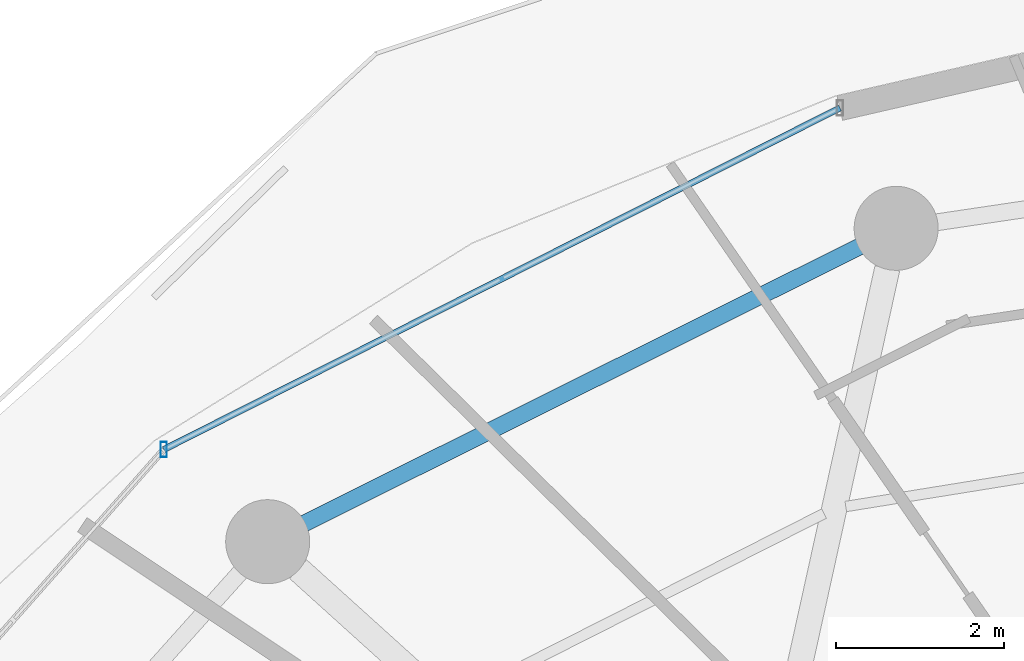
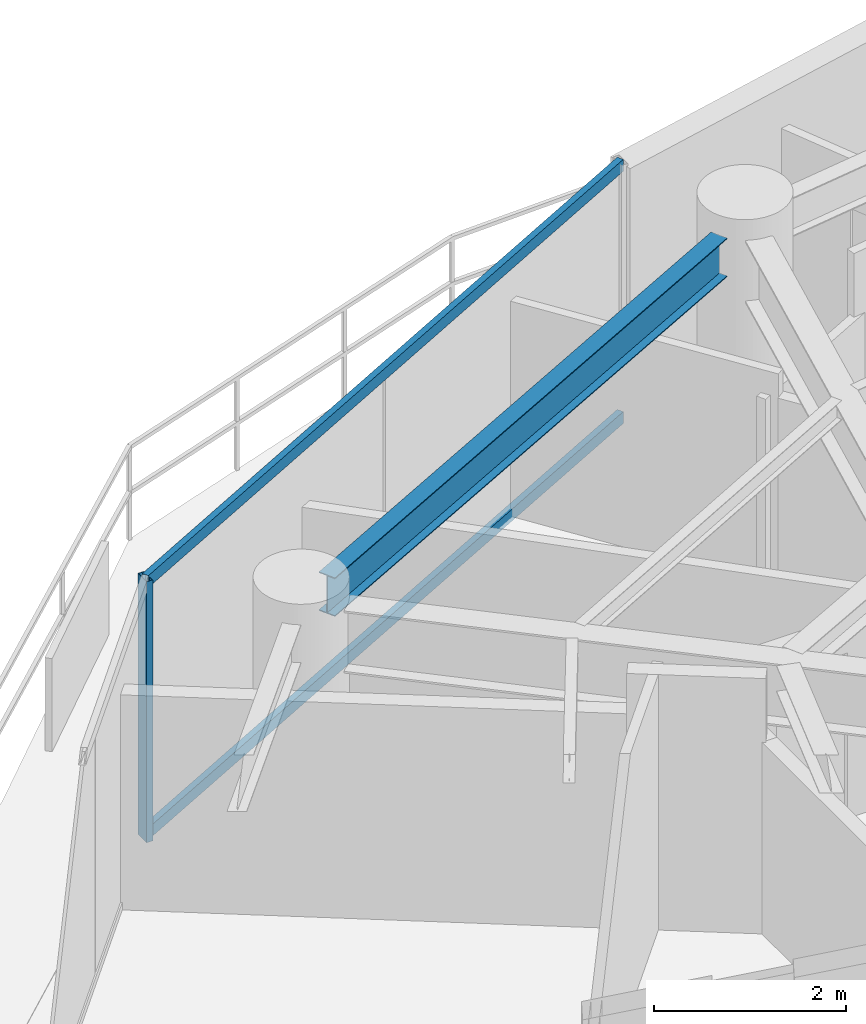
# One storey, part 15 of 29: 3 members, 1 beam, 1 element without a shape of its own.
"""IFC4 building model written with IfcOpenShell, lengths in metres."""

from ifc_helpers import new_model, si_unit, direction, frame, origin, origin_2d, place, context, subcontext, project, spatial, hollow_rectangle, i_section, extrude, material, material_profile, profile_set, type_object, element, aggregate, save


model = new_model("IFC4")

# Units and contexts
model_context = context("Model", 3, precision=1e-05, world=origin(), true_north=direction((0.0, 1.0)))
body_context = subcontext(model_context, "Body", "Model", "MODEL_VIEW")
ifc_project = project(units=[si_unit("LENGTHUNIT", "METRE"), si_unit("AREAUNIT", "SQUARE_METRE"), si_unit("VOLUMEUNIT", "CUBIC_METRE"), si_unit("PLANEANGLEUNIT", "RADIAN"), si_unit("MASSUNIT", "GRAM", prefix="KILO")], contexts=[model_context])

# Site, building, storey
site_placement = place(None, origin())
site = spatial("IfcSite", under=ifc_project, at=site_placement, CompositionType="ELEMENT")
building_placement = place(site_placement, origin())
building = spatial("IfcBuilding", under=site, at=building_placement, Name="Vorneva Point Tower", CompositionType="ELEMENT")
storey_placement = place(building_placement, frame((0.0, 0.0, 150.10009765625)))
storey = spatial("IfcBuildingStorey", under=building, at=storey_placement, Name="L40", CompositionType="ELEMENT", Elevation=150.10009765625)

# Beam
ifc_material_1 = material(Name="Steel S355", Category="steel")
ifc_material_profile_1 = material_profile(ifc_material_1, i_section(OverallWidth=0.199951171875, OverallDepth=0.491943359375, WebThickness=0.0087890625, FlangeThickness=0.011962890625, at=origin_2d()), Name="50B1")
ifc_profile_set_1 = profile_set([ifc_material_profile_1], Name="Steel S355")
beam_type = type_object("IfcBeamType", Name="BM-SPN-50B1", PredefinedType="SPANDREL", material=ifc_profile_set_1)
beam_placement = place(storey_placement, frame((28.7451171875, 41.67431640625, 2.993896484375), z_axis=(-0.894929061397, -0.446208443518, 0.0), x_axis=(0.446208443518, -0.894929061397, 0.0)))
element("IfcBeam", 1, at=beam_placement, inside=storey, type_object=beam_type, Name="L40 Perimeter Spandrel Ring Beam 06", PredefinedType="SPANDREL", context=body_context, shape_type="SweptSolid", body=[
    extrude(i_section(OverallWidth=0.199951171875, OverallDepth=0.491943359375, WebThickness=0.0087890625, FlangeThickness=0.011962890625, at=origin_2d()), origin(), (0.0, 0.0, 1.0), 7.385986328125),
])

# Curtain wall, members
ifc_material_2 = material(Name="Pale anodised aluminium", Category="aluminium")
curtain_wall_type = type_object("IfcCurtainWallType", Name="CW-RES-SYS", PredefinedType="NOTDEFINED", material=ifc_material_2)
curtain_wall_placement = place(storey_placement, origin())
curtain_wall = element("IfcCurtainWall", 2, at=curtain_wall_placement, inside=storey, type_object=curtain_wall_type, Name="L40 Unitised Curtain Wall CW-L40-R03", PredefinedType="NOTDEFINED")
ifc_material_profile_2 = material_profile(ifc_material_2, hollow_rectangle(XDim=0.074951171875, YDim=0.179931640625, WallThickness=0.00390625, at=origin_2d()), Name="AL-MUL 180x75x4")
ifc_profile_set_2 = profile_set([ifc_material_profile_2], Name="Pale anodised aluminium")
member_type_1 = type_object("IfcMemberType", Name="CW-MUL-180", PredefinedType="MULLION", material=ifc_profile_set_2)
member_1_placement = place(storey_placement, frame((20.4638671875, 39.25830078125, -0.0400390625), z_axis=(0.0, 0.0, 1.0), x_axis=(1.0, 0.0, 0.0)))
member_1 = element("IfcMember", 3, at=member_1_placement, type_object=member_type_1, Name="CW-L40-R03 Mullion 02", PredefinedType="MULLION", context=body_context, shape_type="SweptSolid", body=[
    extrude(hollow_rectangle(XDim=0.074951171875, YDim=0.179931640625, WallThickness=0.00390625, at=origin_2d()), origin(), (0.0, 0.0, 1.0), 3.31005859375),
])
ifc_material_profile_3 = material_profile(ifc_material_2, hollow_rectangle(XDim=0.074951171875, YDim=0.14990234375, WallThickness=0.00390625, at=origin_2d()), Name="AL-TRN 150x75x4")
ifc_profile_set_3 = profile_set([ifc_material_profile_3], Name="Pale anodised aluminium")
member_type_2 = type_object("IfcMemberType", Name="CW-TRN-150", PredefinedType="USERDEFINED", material=ifc_profile_set_3)
member_2_placement = place(storey_placement, frame((28.509521484375, 43.32275390625, 0.02001953125), z_axis=(-0.892572392955, -0.450904117673, 0.0), x_axis=(0.450904117673, -0.892572392955, 0.0)))
member_2 = element("IfcMember", 4, at=member_2_placement, type_object=member_type_2, Name="CW-L40-R03 Transom 01.1", ObjectType="TRANSOM", PredefinedType="USERDEFINED", context=body_context, shape_type="SweptSolid", body=[
    extrude(hollow_rectangle(XDim=0.074951171875, YDim=0.14990234375, WallThickness=0.00390625, at=origin_2d()), origin(), (0.0, 0.0, 1.0), 9.013916015625),
])
member_3_placement = place(storey_placement, frame((28.509521484375, 43.32275390625, 3.219970703125), z_axis=(-0.892572392955, -0.450904117673, 0.0), x_axis=(0.450904117673, -0.892572392955, 0.0)))
member_3 = element("IfcMember", 5, at=member_3_placement, type_object=member_type_2, Name="CW-L40-R03 Transom 01.2", ObjectType="TRANSOM", PredefinedType="USERDEFINED", context=body_context, shape_type="SweptSolid", body=[
    extrude(hollow_rectangle(XDim=0.074951171875, YDim=0.14990234375, WallThickness=0.00390625, at=origin_2d()), origin(), (0.0, 0.0, 1.0), 9.013916015625),
])
aggregate(curtain_wall, [member_1, member_2, member_3])

save(model, "model.ifc")
